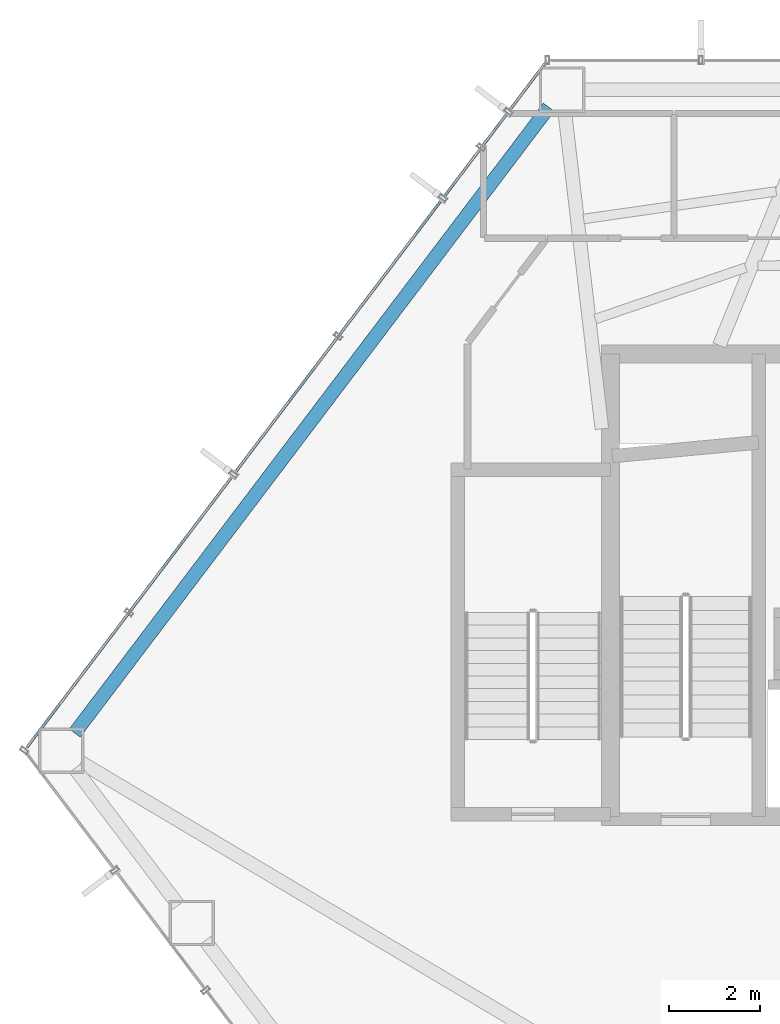
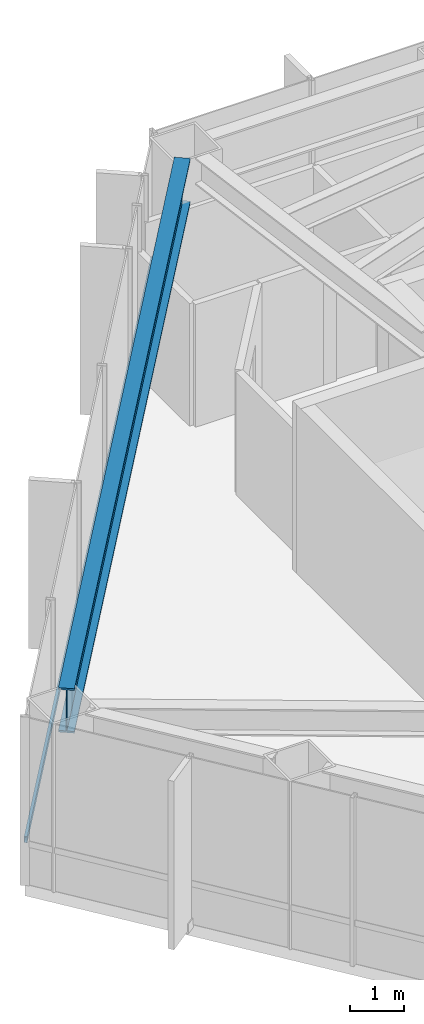
# One storey, part 11 of 25: 1 beam, 1 member, 1 element without a shape of its own.
"""IFC4 building model written with IfcOpenShell, lengths in metres."""

from ifc_helpers import new_model, si_unit, direction, frame, origin, origin_2d, place, context, subcontext, project, spatial, hollow_rectangle, i_section, extrude, material, layer, layer_set, material_profile, profile_set, type_object, element, aggregate, save


model = new_model("IFC4")

# Units and contexts
model_context = context("Model", 3, precision=1e-05, world=origin(), true_north=direction((0.0, 1.0)))
body_context = subcontext(model_context, "Body", "Model", "MODEL_VIEW")
ifc_project = project(units=[si_unit("LENGTHUNIT", "METRE"), si_unit("AREAUNIT", "SQUARE_METRE"), si_unit("VOLUMEUNIT", "CUBIC_METRE"), si_unit("PLANEANGLEUNIT", "RADIAN"), si_unit("MASSUNIT", "GRAM", prefix="KILO")], contexts=[model_context])

# Site, building, storey
site_placement = place(None, origin())
site = spatial("IfcSite", under=ifc_project, at=site_placement, CompositionType="ELEMENT")
building_placement = place(site_placement, origin())
building = spatial("IfcBuilding", under=site, at=building_placement, Name="Zarrinselat Tower", CompositionType="ELEMENT")
storey_placement = place(building_placement, frame((0.0, 0.0, 52.02001953125)))
storey = spatial("IfcBuildingStorey", under=building, at=storey_placement, Name="L12", CompositionType="ELEMENT", Elevation=52.02001953125)

# Beam
ifc_material_1 = material(Name="Steel S460M", Category="steel")
ifc_material_profile_1 = material_profile(ifc_material_1, i_section(OverallWidth=0.302001953125, OverallDepth=1.008056640625, WebThickness=0.02099609375, FlangeThickness=0.0400390625, at=origin_2d()), Name="HEM 1000")
ifc_profile_set_1 = profile_set([ifc_material_profile_1], Name="Steel S460M")
beam_type = type_object("IfcBeamType", Name="BM-HEM1000", PredefinedType="BEAM", material=ifc_profile_set_1)
beam_placement = place(storey_placement, frame((16.787109375, 35.09130859375, 3.31591796875), z_axis=(0.603854157843, 0.7970948225, 0.0), x_axis=(-0.7970948225, 0.603854157843, 0.0)))
element("IfcBeam", 1, at=beam_placement, inside=storey, type_object=beam_type, Name="L12 Perimeter Spandrel Girder SP05", PredefinedType="BEAM", context=body_context, shape_type="SweptSolid", body=[
    extrude(i_section(OverallWidth=0.302001953125, OverallDepth=1.008056640625, WebThickness=0.02099609375, FlangeThickness=0.0400390625, at=origin_2d()), origin(), (0.0, 0.0, 1.0), 17.309814453125),
])

# Curtain wall, member
ifc_material_2 = material(Name="Extruded Aluminium Alloy EN AW-6063 T6", Category="aluminium")
ifc_layer = layer(ifc_material_2, 0.18505859375)
ifc_layer_set = layer_set([ifc_layer], Name="Extruded Aluminium Alloy EN AW-6063 T6")
curtain_wall_type = type_object("IfcCurtainWallType", Name="CWS-OFF", PredefinedType="NOTDEFINED", material=ifc_layer_set)
curtain_wall_placement = place(storey_placement, origin())
curtain_wall = element("IfcCurtainWall", 2, at=curtain_wall_placement, inside=storey, type_object=curtain_wall_type, Name="L12 Unitised Curtain Wall CW-L12-E02", PredefinedType="NOTDEFINED")
ifc_material_3 = material(Name="Extruded Aluminium Alloy EN AW-6063 T6", Category="aluminium")
ifc_material_profile_2 = material_profile(ifc_material_3, hollow_rectangle(XDim=0.06005859375, YDim=0.139892578125, WallThickness=0.00390625, at=origin_2d()), Name="RHS 140x60x4")
ifc_profile_set_2 = profile_set([ifc_material_profile_2], Name="Extruded Aluminium Alloy EN AW-6063 T6")
member_type = type_object("IfcMemberType", Name="MEM-CW-TRN", PredefinedType="USERDEFINED", material=ifc_profile_set_2)
member_placement = place(storey_placement, frame((27.1572265625, 49.856201171875, 0.949951171875), z_axis=(-0.603859675342, -0.797090642585, 0.0), x_axis=(0.797090642585, -0.603859675342, 0.0)))
member = element("IfcMember", 3, at=member_placement, type_object=member_type, Name="CW-L12-E02 Transom 1", ObjectType="TRANSOM", PredefinedType="USERDEFINED", context=body_context, shape_type="SweptSolid", body=[
    extrude(hollow_rectangle(XDim=0.06005859375, YDim=0.139892578125, WallThickness=0.00390625, at=origin_2d()), origin(), (0.0, 0.0, 1.0), 18.921630859375),
])
aggregate(curtain_wall, [member])

save(model, "model.ifc")
